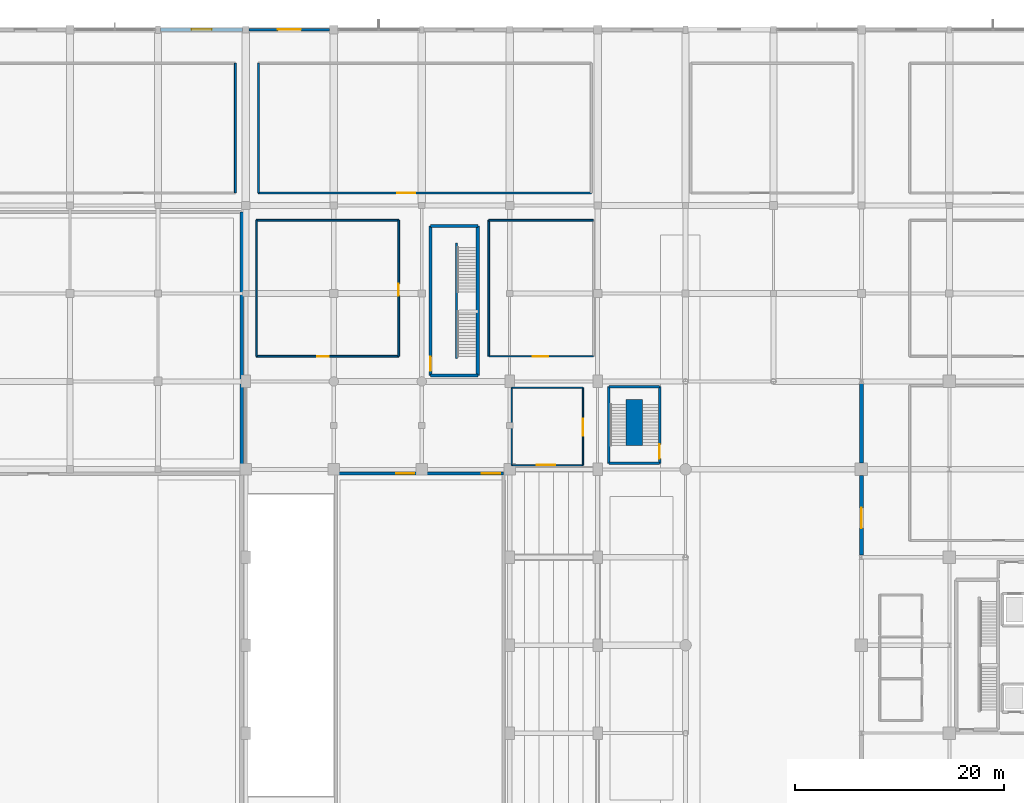
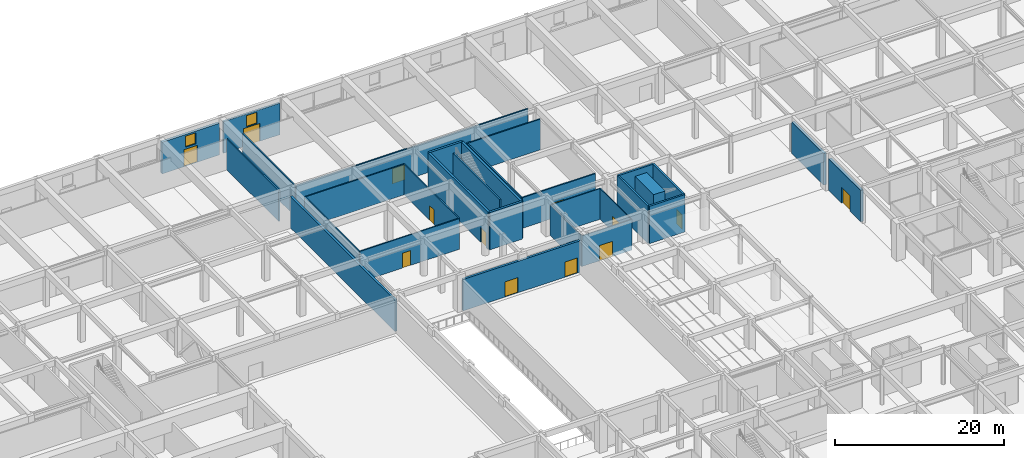
# One storey, part 46 of 62: 30 walls, 13 doors, 2 windows, 15 openings.
"""IFC4 building model written with IfcOpenShell, lengths in metres."""

from ifc_helpers import new_model, si_unit, direction, frame, frame_2d, origin, place, context, subcontext, project, spatial, rectangle, extrude, material, layer, layer_set, type_object, element, fill, save


model = new_model("IFC4")

# Units and contexts
model_context = context("Model", 3, precision=1e-05, world=origin(), true_north=direction((0.0, 1.0)))
body_context = subcontext(model_context, "Body", "Model", "MODEL_VIEW")
ifc_project = project(units=[si_unit("LENGTHUNIT", "METRE"), si_unit("AREAUNIT", "SQUARE_METRE"), si_unit("VOLUMEUNIT", "CUBIC_METRE"), si_unit("PLANEANGLEUNIT", "RADIAN"), si_unit("MASSUNIT", "GRAM", prefix="KILO")], contexts=[model_context])

# Site, building, storey
site_placement = place(None, origin())
site = spatial("IfcSite", under=ifc_project, at=site_placement, CompositionType="ELEMENT")
building_placement = place(site_placement, origin())
building = spatial("IfcBuilding", under=site, at=building_placement, Name="Xuanlan Plaza Opera House", CompositionType="ELEMENT")
storey_placement = place(building_placement, origin())
storey = spatial("IfcBuildingStorey", under=building, at=storey_placement, Name="L00", CompositionType="ELEMENT", Elevation=0.0)

# Wall, openings, door, window
ifc_material_1 = material(Name="Anodised Aluminium 6063-T6 and Rockwool Cladding", Category="aluminium")
ifc_layer_1 = layer(ifc_material_1, 0.360107421875)
ifc_layer_set_1 = layer_set([ifc_layer_1], Name="Anodised Aluminium 6063-T6 and Rockwool Cladding")
wall_type_1 = type_object("IfcWallType", Name="ENV-WL-EW-01", PredefinedType="STANDARD", material=ifc_layer_set_1)
wall_1_placement = place(storey_placement, frame((66.89990234375, 117.60009765625, 0.0), z_axis=(0.0, 0.0, 1.0), x_axis=(-1.0, 0.0, 0.0)))
wall_1 = element("IfcWall", 1, at=wall_1_placement, inside=storey, type_object=wall_type_1, Name="Exterior Wall L00-041", PredefinedType="STANDARD", context=body_context, shape_type="SweptSolid", body=[
    extrude(rectangle(XDim=7.849853515625, YDim=0.360107421875, at=frame_2d((3.9248046875, 0.0))), origin(), (0.0, 0.0, 1.0), 4.580078125),
])
opening_1_placement = place(wall_1_placement, frame((2.97509765625, 0.0, 0.0)))
opening_1 = element("IfcOpeningElement", 2, at=opening_1_placement, cuts=wall_1, Name="Opening ED-05", PredefinedType="OPENING", context=body_context, shape_type="SweptSolid", body=[
    extrude(rectangle(XDim=1.89990234375, YDim=2.449951171875, at=frame_2d((0.949951171875, 1.22509765625))), frame((0.0, 0.18994140625, 0.0), z_axis=(0.0, -1.0, 0.0), x_axis=(1.0, 0.0, 0.0)), (0.0, 0.0, 1.0), 0.380126953125),
])
opening_2_placement = place(wall_1_placement, frame((3.22509765625, 0.0, 2.75)))
opening_2 = element("IfcOpeningElement", 3, at=opening_2_placement, cuts=wall_1, Name="Opening WN-08", PredefinedType="OPENING", context=body_context, shape_type="SweptSolid", body=[
    extrude(rectangle(XDim=1.39990234375, YDim=1.60009765625, at=frame_2d((0.699951171875, 0.800048828125))), frame((0.0, 0.18994140625, 0.0), z_axis=(0.0, -1.0, 0.0), x_axis=(1.0, 0.0, 0.0)), (0.0, 0.0, 1.0), 0.380126953125),
])
ifc_material_2 = material(Name="Anodised Aluminium 6063-T6 and Laminated Safety Glass", Category="aluminium")
door_type_1 = type_object("IfcDoorType", Name="ENV-DR-ED-05", OperationType="DOUBLE_DOOR_SINGLE_SWING", PredefinedType="DOOR", material=ifc_material_2)
door_1_placement = place(opening_1_placement, frame((1.89990234375, 0.0, 0.0), z_axis=(0.0, 0.0, 1.0), x_axis=(-1.0, 0.0, 0.0)))
door_1 = element("IfcDoor", 4, at=door_1_placement, inside=storey, type_object=door_type_1, Name="Plaza Pedestrian Exit Door 22", OperationType="DOUBLE_DOOR_SINGLE_SWING", OverallHeight=2.449951171875, OverallWidth=1.89990234375, PredefinedType="DOOR", context=body_context, shape_type="SweptSolid", body=[
    extrude(rectangle(XDim=1.89990234375, YDim=2.449951171875, at=frame_2d((0.949951171875, 1.22509765625))), frame((0.0, 0.02490234375, 0.0), z_axis=(0.0, -1.0, 0.0), x_axis=(1.0, 0.0, 0.0)), (0.0, 0.0, 1.0), 0.050048828125),
])
fill(opening_1, door_1)
ifc_material_3 = material(Name="Anodised Aluminium 6063-T6 and Low-E Glass", Category="aluminium")
window_type = type_object("IfcWindowType", Name="ENV-WN-WN-08", PartitioningType="SINGLE_PANEL", PredefinedType="WINDOW", material=ifc_material_3)
window_1_placement = place(opening_2_placement, origin())
window_1 = element("IfcWindow", 5, at=window_1_placement, inside=storey, type_object=window_type, Name="Entrance Portal Transom Clerestory 22", OverallHeight=1.60009765625, OverallWidth=1.39990234375, PartitioningType="SINGLE_PANEL", PredefinedType="WINDOW", context=body_context, shape_type="SweptSolid", body=[
    extrude(rectangle(XDim=1.39990234375, YDim=1.60009765625, at=frame_2d((0.699951171875, 0.800048828125))), frame((0.0, 0.030029296875, 0.0), z_axis=(0.0, -1.0, 0.0), x_axis=(1.0, 0.0, 0.0)), (0.0, 0.0, 1.0), 0.06005859375),
])
fill(opening_2, window_1)

ifc_layer_2 = layer(ifc_material_1, 0.27001953125)
ifc_layer_set_2 = layer_set([ifc_layer_2], Name="Anodised Aluminium 6063-T6 and Rockwool Cladding")
wall_type_2 = type_object("IfcWallType", Name="ENV-WL-EW-06", PredefinedType="STANDARD", material=ifc_layer_set_2)
wall_2_placement = place(storey_placement, frame((75.199951171875, 117.60009765625, 0.0), z_axis=(0.0, 0.0, 1.0), x_axis=(-1.0, 0.0, 0.0)))
wall_2 = element("IfcWall", 6, at=wall_2_placement, inside=storey, type_object=wall_type_2, Name="Exterior Wall L00-040", PredefinedType="STANDARD", context=body_context, shape_type="SweptSolid", body=[
    extrude(rectangle(XDim=7.699951171875, YDim=0.27001953125, at=frame_2d((3.85009765625, 0.0))), origin(), (0.0, 0.0, 1.0), 4.580078125),
])
opening_3_placement = place(wall_2_placement, frame((2.75, 0.0, 0.0)))
opening_3 = element("IfcOpeningElement", 7, at=opening_3_placement, cuts=wall_2, Name="Opening ED-04", PredefinedType="OPENING", context=body_context, shape_type="SweptSolid", body=[
    extrude(rectangle(XDim=2.199951171875, YDim=2.60009765625, at=frame_2d((1.10009765625, 1.300048828125))), frame((0.0, 0.14501953125, 0.0), z_axis=(0.0, -1.0, 0.0), x_axis=(1.0, 0.0, 0.0)), (0.0, 0.0, 1.0), 0.2900390625),
])
opening_4_placement = place(wall_2_placement, frame((3.14990234375, 0.0, 2.75)))
opening_4 = element("IfcOpeningElement", 8, at=opening_4_placement, cuts=wall_2, Name="Opening WN-08", PredefinedType="OPENING", context=body_context, shape_type="SweptSolid", body=[
    extrude(rectangle(XDim=1.39990234375, YDim=1.60009765625, at=frame_2d((0.699951171875, 0.800048828125))), frame((0.0, 0.14501953125, 0.0), z_axis=(0.0, -1.0, 0.0), x_axis=(1.0, 0.0, 0.0)), (0.0, 0.0, 1.0), 0.2900390625),
])
door_type_2 = type_object("IfcDoorType", Name="ENV-DR-ED-04", OperationType="DOUBLE_DOOR_SINGLE_SWING", PredefinedType="DOOR", material=ifc_material_2)
door_2_placement = place(opening_3_placement, frame((2.199951171875, 0.0, 0.0), z_axis=(0.0, 0.0, 1.0), x_axis=(-1.0, 0.0, 0.0)))
door_2 = element("IfcDoor", 9, at=door_2_placement, inside=storey, type_object=door_type_2, Name="Main Foyer Pedestrian Entrance Door 21", OperationType="DOUBLE_DOOR_SINGLE_SWING", OverallHeight=2.60009765625, OverallWidth=2.199951171875, PredefinedType="DOOR", context=body_context, shape_type="SweptSolid", body=[
    extrude(rectangle(XDim=2.199951171875, YDim=2.60009765625, at=frame_2d((1.10009765625, 1.300048828125))), frame((0.0, 0.02490234375, 0.0), z_axis=(0.0, -1.0, 0.0), x_axis=(1.0, 0.0, 0.0)), (0.0, 0.0, 1.0), 0.050048828125),
])
fill(opening_3, door_2)
window_2_placement = place(opening_4_placement, origin())
window_2 = element("IfcWindow", 10, at=window_2_placement, inside=storey, type_object=window_type, Name="Entrance Portal Transom Clerestory 21", OverallHeight=1.60009765625, OverallWidth=1.39990234375, PartitioningType="SINGLE_PANEL", PredefinedType="WINDOW", context=body_context, shape_type="SweptSolid", body=[
    extrude(rectangle(XDim=1.39990234375, YDim=1.60009765625, at=frame_2d((0.699951171875, 0.800048828125))), frame((0.0, 0.030029296875, 0.0), z_axis=(0.0, -1.0, 0.0), x_axis=(1.0, 0.0, 0.0)), (0.0, 0.0, 1.0), 0.06005859375),
])
fill(opening_4, window_2)

# Wall, opening, door
ifc_material_4 = material(Name="Gypsum Board and Galvanised Steel Studs", Category="gypsum")
ifc_layer_3 = layer(ifc_material_4, 0.179931640625)
ifc_layer_set_3 = layer_set([ifc_layer_3], Name="Gypsum Board and Galvanised Steel Studs")
wall_type_3 = type_object("IfcWallType", Name="INT-WL-PW-02", PredefinedType="PARTITIONING", material=ifc_layer_set_3)
wall_3_placement = place(storey_placement, frame((90.39990234375, 86.39990234375, 0.0), z_axis=(0.0, 0.0, 1.0), x_axis=(1.0, 0.0, 0.0)))
wall_3 = element("IfcWall", 11, at=wall_3_placement, inside=storey, type_object=wall_type_3, Name="Audience Programme Store Wall South", PredefinedType="PARTITIONING", context=body_context, shape_type="SweptSolid", body=[
    extrude(rectangle(XDim=10.0, YDim=0.179931640625, at=frame_2d((5.0, 0.0))), origin(), (0.0, 0.0, 1.0), 4.43994140625),
])
opening_5_placement = place(wall_3_placement, frame((4.199951171875, 0.0, 0.0)))
opening_5 = element("IfcOpeningElement", 12, at=opening_5_placement, cuts=wall_3, Name="Opening D-03", PredefinedType="OPENING", context=body_context, shape_type="SweptSolid", body=[
    extrude(rectangle(XDim=1.5, YDim=2.199951171875, at=frame_2d((0.75, 1.10009765625))), frame((0.0, 0.099853515625, 0.0), z_axis=(0.0, -1.0, 0.0), x_axis=(1.0, 0.0, 0.0)), (0.0, 0.0, 1.0), 0.199951171875),
])
ifc_material_5 = material(Name="Walnut Hardwood Timber", Category="wood")
door_type_3 = type_object("IfcDoorType", Name="INT-DR-D-03", OperationType="DOUBLE_DOOR_SINGLE_SWING", PredefinedType="DOOR", material=ifc_material_5)
door_3_placement = place(opening_5_placement, origin())
door_3 = element("IfcDoor", 13, at=door_3_placement, inside=storey, type_object=door_type_3, Name="Audience Programme Store Door 1", OperationType="DOUBLE_DOOR_SINGLE_SWING", OverallHeight=2.199951171875, OverallWidth=1.5, PredefinedType="DOOR", context=body_context, shape_type="SweptSolid", body=[
    extrude(rectangle(XDim=1.5, YDim=2.199951171875, at=frame_2d((0.75, 1.10009765625))), frame((0.0, 0.02490234375, 0.0), z_axis=(0.0, -1.0, 0.0), x_axis=(1.0, 0.0, 0.0)), (0.0, 0.0, 1.0), 0.050048828125),
])
fill(opening_5, door_3)

# Walls
wall_4_placement = place(storey_placement, frame((90.39990234375, 99.39990234375, 0.0), z_axis=(0.0, 0.0, 1.0), x_axis=(1.0, 0.0, 0.0)))
element("IfcWall", 14, at=wall_4_placement, inside=storey, type_object=wall_type_3, Name="Audience Programme Store Wall North", PredefinedType="PARTITIONING", context=body_context, shape_type="SweptSolid", body=[
    extrude(rectangle(XDim=10.0, YDim=0.179931640625, at=frame_2d((5.0, 0.0))), origin(), (0.0, 0.0, 1.0), 4.43994140625),
])
wall_5_placement = place(storey_placement, frame((90.39990234375, 86.39990234375, 0.0), z_axis=(0.0, 0.0, 1.0), x_axis=(0.0, 1.0, 0.0)))
element("IfcWall", 15, at=wall_5_placement, inside=storey, type_object=wall_type_3, Name="Audience Programme Store Wall West", PredefinedType="PARTITIONING", context=body_context, shape_type="SweptSolid", body=[
    extrude(rectangle(XDim=13.0, YDim=0.179931640625, at=frame_2d((6.5, 0.0))), origin(), (0.0, 0.0, 1.0), 4.43994140625),
])
wall_6_placement = place(storey_placement, frame((66.199951171875, 102.0, 0.0), z_axis=(0.0, 0.0, 1.0), x_axis=(0.0, 1.0, 0.0)))
element("IfcWall", 16, at=wall_6_placement, inside=storey, type_object=wall_type_3, Name="Heavy Scenery Container Store Wall East", PredefinedType="PARTITIONING", context=body_context, shape_type="SweptSolid", body=[
    extrude(rectangle(XDim=12.39990234375, YDim=0.179931640625, at=frame_2d((6.199951171875, 0.0))), origin(), (0.0, 0.0, 1.0), 4.43994140625),
])

# Wall, opening, door
wall_7_placement = place(storey_placement, frame((68.39990234375, 102.0, 0.0), z_axis=(0.0, 0.0, 1.0), x_axis=(1.0, 0.0, 0.0)))
wall_7 = element("IfcWall", 17, at=wall_7_placement, inside=storey, type_object=wall_type_3, Name="Orchestra Touring Instrument Store Wall South", PredefinedType="PARTITIONING", context=body_context, shape_type="SweptSolid", body=[
    extrude(rectangle(XDim=31.800048828125, YDim=0.179931640625, at=frame_2d((15.89990234375, 0.0))), origin(), (0.0, 0.0, 1.0), 4.43994140625),
])
opening_6_placement = place(wall_7_placement, frame((13.25, 0.0, 0.0)))
opening_6 = element("IfcOpeningElement", 18, at=opening_6_placement, cuts=wall_7, Name="Opening FD-03", PredefinedType="OPENING", context=body_context, shape_type="SweptSolid", body=[
    extrude(rectangle(XDim=1.75, YDim=2.199951171875, at=frame_2d((0.875, 1.10009765625))), frame((0.0, 0.099853515625, 0.0), z_axis=(0.0, -1.0, 0.0), x_axis=(1.0, 0.0, 0.0)), (0.0, 0.0, 1.0), 0.199951171875),
])
ifc_material_6 = material(Name="Galvanised Steel Q235B", Category="steel")
door_type_4 = type_object("IfcDoorType", Name="INT-DR-FD-03", OperationType="DOUBLE_DOOR_SINGLE_SWING", PredefinedType="DOOR", material=ifc_material_6)
door_4_placement = place(opening_6_placement, origin())
door_4 = element("IfcDoor", 19, at=door_4_placement, inside=storey, type_object=door_type_4, Name="Orchestra Touring Instrument Store Door 1", OperationType="DOUBLE_DOOR_SINGLE_SWING", OverallHeight=2.199951171875, OverallWidth=1.75, PredefinedType="DOOR", context=body_context, shape_type="SweptSolid", body=[
    extrude(rectangle(XDim=1.75, YDim=2.199951171875, at=frame_2d((0.875, 1.10009765625))), frame((0.0, 0.02490234375, 0.0), z_axis=(0.0, -1.0, 0.0), x_axis=(1.0, 0.0, 0.0)), (0.0, 0.0, 1.0), 0.050048828125),
])
fill(opening_6, door_4)

# Wall
wall_8_placement = place(storey_placement, frame((68.39990234375, 102.0, 0.0), z_axis=(0.0, 0.0, 1.0), x_axis=(0.0, 1.0, 0.0)))
element("IfcWall", 20, at=wall_8_placement, inside=storey, type_object=wall_type_3, Name="Orchestra Touring Instrument Store Wall West", PredefinedType="PARTITIONING", context=body_context, shape_type="SweptSolid", body=[
    extrude(rectangle(XDim=12.39990234375, YDim=0.179931640625, at=frame_2d((6.199951171875, 0.0))), origin(), (0.0, 0.0, 1.0), 4.43994140625),
])

# Wall, opening, door
ifc_layer_4 = layer(ifc_material_4, 0.1201171875)
ifc_layer_set_4 = layer_set([ifc_layer_4], Name="Gypsum Board and Galvanised Steel Studs")
wall_type_4 = type_object("IfcWallType", Name="INT-WL-PW-04", PredefinedType="PARTITIONING", material=ifc_layer_set_4)
wall_9_placement = place(storey_placement, frame((92.60009765625, 76.0, 0.0), z_axis=(0.0, 0.0, 1.0), x_axis=(1.0, 0.0, 0.0)))
wall_9 = element("IfcWall", 21, at=wall_9_placement, inside=storey, type_object=wall_type_4, Name="Vomitory Passage North Wall South", PredefinedType="PARTITIONING", context=body_context, shape_type="SweptSolid", body=[
    extrude(rectangle(XDim=6.7998046875, YDim=0.1201171875, at=frame_2d((3.39990234375, 0.0))), origin(), (0.0, 0.0, 1.0), 4.43994140625),
])
opening_7_placement = place(wall_9_placement, frame((2.39990234375, 0.0, 0.0)))
opening_7 = element("IfcOpeningElement", 22, at=opening_7_placement, cuts=wall_9, Name="Opening FD-03", PredefinedType="OPENING", context=body_context, shape_type="SweptSolid", body=[
    extrude(rectangle(XDim=1.75, YDim=2.199951171875, at=frame_2d((0.875, 1.10009765625))), frame((0.0, 0.070068359375, 0.0), z_axis=(0.0, -1.0, 0.0), x_axis=(1.0, 0.0, 0.0)), (0.0, 0.0, 1.0), 0.14013671875),
])
door_5_placement = place(opening_7_placement, origin())
door_5 = element("IfcDoor", 23, at=door_5_placement, inside=storey, type_object=door_type_4, Name="Vomitory Passage North Door 1", OperationType="DOUBLE_DOOR_SINGLE_SWING", OverallHeight=2.199951171875, OverallWidth=1.75, PredefinedType="DOOR", context=body_context, shape_type="SweptSolid", body=[
    extrude(rectangle(XDim=1.75, YDim=2.199951171875, at=frame_2d((0.875, 1.10009765625))), frame((0.0, 0.02490234375, 0.0), z_axis=(0.0, -1.0, 0.0), x_axis=(1.0, 0.0, 0.0)), (0.0, 0.0, 1.0), 0.050048828125),
])
fill(opening_7, door_5)

# Walls
wall_10_placement = place(storey_placement, frame((92.60009765625, 83.39990234375, 0.0), z_axis=(0.0, 0.0, 1.0), x_axis=(1.0, 0.0, 0.0)))
element("IfcWall", 24, at=wall_10_placement, inside=storey, type_object=wall_type_4, Name="Vomitory Passage North Wall North", PredefinedType="PARTITIONING", context=body_context, shape_type="SweptSolid", body=[
    extrude(rectangle(XDim=6.7998046875, YDim=0.1201171875, at=frame_2d((3.39990234375, 0.0))), origin(), (0.0, 0.0, 1.0), 4.43994140625),
])
wall_11_placement = place(storey_placement, frame((92.60009765625, 76.0, 0.0), z_axis=(0.0, 0.0, 1.0), x_axis=(0.0, 1.0, 0.0)))
element("IfcWall", 25, at=wall_11_placement, inside=storey, type_object=wall_type_4, Name="Vomitory Passage North Wall West", PredefinedType="PARTITIONING", context=body_context, shape_type="SweptSolid", body=[
    extrude(rectangle(XDim=7.39990234375, YDim=0.1201171875, at=frame_2d((3.699951171875, 0.0))), origin(), (0.0, 0.0, 1.0), 4.43994140625),
])

# Wall, opening, door
wall_12_placement = place(storey_placement, frame((99.39990234375, 76.0, 0.0), z_axis=(0.0, 0.0, 1.0), x_axis=(0.0, 1.0, 0.0)))
wall_12 = element("IfcWall", 26, at=wall_12_placement, inside=storey, type_object=wall_type_4, Name="Vomitory Passage North Wall East", PredefinedType="PARTITIONING", context=body_context, shape_type="SweptSolid", body=[
    extrude(rectangle(XDim=7.39990234375, YDim=0.1201171875, at=frame_2d((3.699951171875, 0.0))), origin(), (0.0, 0.0, 1.0), 4.43994140625),
])
opening_8_placement = place(wall_12_placement, frame((2.800048828125, 0.0, 0.0)))
opening_8 = element("IfcOpeningElement", 27, at=opening_8_placement, cuts=wall_12, Name="Opening D-08", PredefinedType="OPENING", context=body_context, shape_type="SweptSolid", body=[
    extrude(rectangle(XDim=1.6201171875, YDim=2.219970703125, at=frame_2d((0.81005859375, 1.10986328125))), frame((0.0, 0.070068359375, 0.0), z_axis=(0.0, -1.0, 0.0), x_axis=(1.0, 0.0, 0.0)), (0.0, 0.0, 1.0), 0.14013671875),
])
door_type_5 = type_object("IfcDoorType", Name="INT-DR-D-08", OperationType="DOUBLE_DOOR_SINGLE_SWING", PredefinedType="DOOR", material=ifc_material_5)
door_6_placement = place(opening_8_placement, origin())
door_6 = element("IfcDoor", 28, at=door_6_placement, inside=storey, type_object=door_type_5, Name="Vomitory Passage North Door 1", OperationType="DOUBLE_DOOR_SINGLE_SWING", OverallHeight=2.219970703125, OverallWidth=1.6201171875, PredefinedType="DOOR", context=body_context, shape_type="SweptSolid", body=[
    extrude(rectangle(XDim=1.6201171875, YDim=2.219970703125, at=frame_2d((0.81005859375, 1.10986328125))), frame((0.0, 0.02490234375, 0.0), z_axis=(0.0, -1.0, 0.0), x_axis=(1.0, 0.0, 0.0)), (0.0, 0.0, 1.0), 0.050048828125),
])
fill(opening_8, door_6)

ifc_layer_5 = layer(ifc_material_4, 0.159912109375)
ifc_layer_set_5 = layer_set([ifc_layer_5], Name="Gypsum Board and Galvanised Steel Studs")
wall_type_5 = type_object("IfcWallType", Name="INT-WL-PW-05", PredefinedType="PARTITIONING", material=ifc_layer_set_5)
wall_13_placement = place(storey_placement, frame((68.199951171875, 86.39990234375, 0.0), z_axis=(0.0, 0.0, 1.0), x_axis=(1.0, 0.0, 0.0)))
wall_13 = element("IfcWall", 29, at=wall_13_placement, inside=storey, type_object=wall_type_5, Name="Stage Rigging and Winch Workshop Wall South", PredefinedType="PARTITIONING", context=body_context, shape_type="SweptSolid", body=[
    extrude(rectangle(XDim=13.60009765625, YDim=0.159912109375, at=frame_2d((6.800048828125, 0.0))), origin(), (0.0, 0.0, 1.0), 4.43994140625),
])
opening_9_placement = place(wall_13_placement, frame((5.800048828125, 0.0, 0.0)))
opening_9 = element("IfcOpeningElement", 30, at=opening_9_placement, cuts=wall_13, Name="Opening D-10", PredefinedType="OPENING", context=body_context, shape_type="SweptSolid", body=[
    extrude(rectangle(XDim=1.1201171875, YDim=2.139892578125, at=frame_2d((0.56005859375, 1.06982421875))), frame((0.0, 0.08984375, 0.0), z_axis=(0.0, -1.0, 0.0), x_axis=(1.0, 0.0, 0.0)), (0.0, 0.0, 1.0), 0.179931640625),
])
ifc_material_7 = material(Name="Oak Hardwood Timber", Category="wood")
door_type_6 = type_object("IfcDoorType", Name="INT-DR-D-10", OperationType="NOTDEFINED", PredefinedType="DOOR", material=ifc_material_7)
door_7_placement = place(opening_9_placement, origin())
door_7 = element("IfcDoor", 31, at=door_7_placement, inside=storey, type_object=door_type_6, Name="Stage Rigging and Winch Workshop Door 1", OperationType="SINGLE_SWING_LEFT", OverallHeight=2.139892578125, OverallWidth=1.1201171875, PredefinedType="DOOR", context=body_context, shape_type="SweptSolid", body=[
    extrude(rectangle(XDim=1.1201171875, YDim=2.139892578125, at=frame_2d((0.56005859375, 1.06982421875))), frame((0.0, 0.02490234375, 0.0), z_axis=(0.0, -1.0, 0.0), x_axis=(1.0, 0.0, 0.0)), (0.0, 0.0, 1.0), 0.050048828125),
])
fill(opening_9, door_7)

# Walls
wall_14_placement = place(storey_placement, frame((68.199951171875, 99.39990234375, 0.0), z_axis=(0.0, 0.0, 1.0), x_axis=(1.0, 0.0, 0.0)))
element("IfcWall", 32, at=wall_14_placement, inside=storey, type_object=wall_type_5, Name="Stage Rigging and Winch Workshop Wall North", PredefinedType="PARTITIONING", context=body_context, shape_type="SweptSolid", body=[
    extrude(rectangle(XDim=13.60009765625, YDim=0.159912109375, at=frame_2d((6.800048828125, 0.0))), origin(), (0.0, 0.0, 1.0), 4.43994140625),
])
wall_15_placement = place(storey_placement, frame((68.199951171875, 86.39990234375, 0.0), z_axis=(0.0, 0.0, 1.0), x_axis=(0.0, 1.0, 0.0)))
element("IfcWall", 33, at=wall_15_placement, inside=storey, type_object=wall_type_5, Name="Stage Rigging and Winch Workshop Wall West", PredefinedType="PARTITIONING", context=body_context, shape_type="SweptSolid", body=[
    extrude(rectangle(XDim=13.0, YDim=0.159912109375, at=frame_2d((6.5, 0.0))), origin(), (0.0, 0.0, 1.0), 4.43994140625),
])

# Wall, opening, door
wall_16_placement = place(storey_placement, frame((81.800048828125, 86.39990234375, 0.0), z_axis=(0.0, 0.0, 1.0), x_axis=(0.0, 1.0, 0.0)))
wall_16 = element("IfcWall", 34, at=wall_16_placement, inside=storey, type_object=wall_type_5, Name="Stage Rigging and Winch Workshop Wall East", PredefinedType="PARTITIONING", context=body_context, shape_type="SweptSolid", body=[
    extrude(rectangle(XDim=13.0, YDim=0.159912109375, at=frame_2d((6.5, 0.0))), origin(), (0.0, 0.0, 1.0), 4.43994140625),
])
opening_10_placement = place(wall_16_placement, frame((5.800048828125, 0.0, 0.0)))
opening_10 = element("IfcOpeningElement", 35, at=opening_10_placement, cuts=wall_16, Name="Opening D-10", PredefinedType="OPENING", context=body_context, shape_type="SweptSolid", body=[
    extrude(rectangle(XDim=1.1201171875, YDim=2.139892578125, at=frame_2d((0.56005859375, 1.06982421875))), frame((0.0, 0.08984375, 0.0), z_axis=(0.0, -1.0, 0.0), x_axis=(1.0, 0.0, 0.0)), (0.0, 0.0, 1.0), 0.179931640625),
])
door_8_placement = place(opening_10_placement, origin())
door_8 = element("IfcDoor", 36, at=door_8_placement, inside=storey, type_object=door_type_6, Name="Stage Rigging and Winch Workshop Door 1", OperationType="SINGLE_SWING_LEFT", OverallHeight=2.139892578125, OverallWidth=1.1201171875, PredefinedType="DOOR", context=body_context, shape_type="SweptSolid", body=[
    extrude(rectangle(XDim=1.1201171875, YDim=2.139892578125, at=frame_2d((0.56005859375, 1.06982421875))), frame((0.0, 0.02490234375, 0.0), z_axis=(0.0, -1.0, 0.0), x_axis=(1.0, 0.0, 0.0)), (0.0, 0.0, 1.0), 0.050048828125),
])
fill(opening_10, door_8)

ifc_material_8 = material(Name="Concrete C50", Category="concrete")
ifc_layer_6 = layer(ifc_material_8, 0.3798828125)
ifc_layer_set_6 = layer_set([ifc_layer_6], Name="Concrete C50")
wall_type_6 = type_object("IfcWallType", Name="INT-WL-SW-FW1", PredefinedType="SHEAR", material=ifc_layer_set_6)
wall_17_placement = place(storey_placement, frame((126.0, 67.406982421875, 0.0), z_axis=(0.0, 0.0, 1.0), x_axis=(0.0, 1.0, 0.0)))
wall_17 = element("IfcWall", 37, at=wall_17_placement, inside=storey, type_object=wall_type_6, Name="Opera-Tower Compartment Firewall L00-03", PredefinedType="SHEAR", context=body_context, shape_type="SweptSolid", body=[
    extrude(rectangle(XDim=7.593017578125, YDim=0.3798828125, at=frame_2d((3.79638671875, 0.0))), origin(), (0.0, 0.0, 1.0), 4.550048828125),
])
opening_11_placement = place(wall_17_placement, frame((2.574951171875, 0.0, 0.0)))
opening_11 = element("IfcOpeningElement", 38, at=opening_11_placement, cuts=wall_17, Name="Opening FD-04", PredefinedType="OPENING", context=body_context, shape_type="SweptSolid", body=[
    extrude(rectangle(XDim=1.949951171875, YDim=2.300048828125, at=frame_2d((0.97509765625, 1.14990234375))), frame((0.0, 0.199951171875, 0.0), z_axis=(0.0, -1.0, 0.0), x_axis=(1.0, 0.0, 0.0)), (0.0, 0.0, 1.0), 0.39990234375),
])
door_type_7 = type_object("IfcDoorType", Name="INT-DR-FD-04", OperationType="DOUBLE_DOOR_SINGLE_SWING", PredefinedType="DOOR", material=ifc_material_6)
door_9_placement = place(opening_11_placement, origin())
door_9 = element("IfcDoor", 39, at=door_9_placement, inside=storey, type_object=door_type_7, Name="Compartment Firewall Door L00-03", OperationType="DOUBLE_DOOR_SINGLE_SWING", OverallHeight=2.300048828125, OverallWidth=1.949951171875, PredefinedType="DOOR", context=body_context, shape_type="SweptSolid", body=[
    extrude(rectangle(XDim=1.949951171875, YDim=2.300048828125, at=frame_2d((0.97509765625, 1.14990234375))), frame((0.0, 0.02490234375, 0.0), z_axis=(0.0, -1.0, 0.0), x_axis=(1.0, 0.0, 0.0)), (0.0, 0.0, 1.0), 0.050048828125),
])
fill(opening_11, door_9)

# Walls
wall_18_placement = place(storey_placement, frame((126.0, 76.199951171875, 0.0), z_axis=(0.0, 0.0, 1.0), x_axis=(0.0, 1.0, 0.0)))
element("IfcWall", 40, at=wall_18_placement, inside=storey, type_object=wall_type_6, Name="Opera-Tower Compartment Firewall L00-04", PredefinedType="SHEAR", context=body_context, shape_type="SweptSolid", body=[
    extrude(rectangle(XDim=7.593017578125, YDim=0.3798828125, at=frame_2d((3.79638671875, 0.0))), origin(), (0.0, 0.0, 1.0), 4.550048828125),
])
ifc_layer_7 = layer(ifc_material_8, 1.60009765625)
ifc_layer_set_7 = layer_set([ifc_layer_7], Name="Concrete C50")
wall_type_7 = type_object("IfcWallType", Name="INT-WL-SW-SP2", PredefinedType="SHEAR", material=ifc_layer_set_7)
wall_19_placement = place(storey_placement, frame((104.300048828125, 77.8798828125, 0.0), z_axis=(0.0, 0.0, 1.0), x_axis=(0.0, 1.0, 0.0)))
element("IfcWall", 41, at=wall_19_placement, inside=storey, type_object=wall_type_7, Name="Half-Turn Stair Structural Spine Wall ST-F2 L00", PredefinedType="SHEAR", context=body_context, shape_type="SweptSolid", body=[
    extrude(rectangle(XDim=4.400146484375, YDim=1.60009765625, at=frame_2d((2.2001953125, 0.0))), origin(), (0.0, 0.0, 1.0), 5.39990234375),
])
ifc_material_9 = material(Name="Concrete C40", Category="concrete")
ifc_layer_8 = layer(ifc_material_9, 0.199951171875)
ifc_layer_set_8 = layer_set([ifc_layer_8], Name="Concrete C40")
wall_type_8 = type_object("IfcWallType", Name="INT-WL-SW-SPN", PredefinedType="SHEAR", material=ifc_layer_set_8)
wall_20_placement = place(storey_placement, frame((87.300048828125, 86.199951171875, 0.0), z_axis=(0.0, 0.0, 1.0), x_axis=(0.0, 1.0, 0.0)))
element("IfcWall", 42, at=wall_20_placement, inside=storey, type_object=wall_type_8, Name="Stair Structural Spine Wall ST-P4 L00", PredefinedType="SHEAR", context=body_context, shape_type="SweptSolid", body=[
    extrude(rectangle(XDim=11.0, YDim=0.199951171875, at=frame_2d((5.5, 0.0))), origin(), (0.0, 0.0, 1.0), 5.39990234375),
])
ifc_layer_9 = layer(ifc_material_9, 0.300048828125)
ifc_layer_set_9 = layer_set([ifc_layer_9], Name="Concrete C40")
wall_type_9 = type_object("IfcWallType", Name="INT-WL-SW-ST1", PredefinedType="SHEAR", material=ifc_layer_set_9)
for number, where, z_axis, x_axis, name in (
    (43, (84.85009765625, 84.550048828125, 0.0), (0.0, 0.0, 1.0), (1.0, 0.0, 0.0), "Stair Core Wall ST-P4 L00 South"),
    (44, (84.85009765625, 98.85009765625, 0.0), (0.0, 0.0, 1.0), (1.0, 0.0, 0.0), "Stair Core Wall ST-P4 L00 North"),
):
    element("IfcWall", number, at=place(storey_placement, frame(where, z_axis=z_axis, x_axis=x_axis)), inside=storey, type_object=wall_type_9, Name=name, PredefinedType="SHEAR", context=body_context, shape_type="SweptSolid", body=[
        extrude(rectangle(XDim=4.5, YDim=0.300048828125, at=frame_2d((2.25, 0.0))), origin(), (0.0, 0.0, 1.0), 5.39990234375),
    ])

# Wall, opening, door
wall_21_placement = place(storey_placement, frame((84.85009765625, 84.550048828125, 0.0), z_axis=(0.0, 0.0, 1.0), x_axis=(0.0, 1.0, 0.0)))
wall_21 = element("IfcWall", 45, at=wall_21_placement, inside=storey, type_object=wall_type_9, Name="Stair Core Wall ST-P4 L00 West", PredefinedType="SHEAR", context=body_context, shape_type="SweptSolid", body=[
    extrude(rectangle(XDim=14.300048828125, YDim=0.300048828125, at=frame_2d((7.14990234375, 0.0))), origin(), (0.0, 0.0, 1.0), 5.39990234375),
])
opening_12_placement = place(wall_21_placement, frame((0.449951171875, 0.0, 0.0)))
opening_12 = element("IfcOpeningElement", 46, at=opening_12_placement, cuts=wall_21, Name="Opening FD-ST2", PredefinedType="OPENING", context=body_context, shape_type="SweptSolid", body=[
    extrude(rectangle(XDim=1.35009765625, YDim=2.14990234375, at=frame_2d((0.675048828125, 1.074951171875))), frame((0.0, 0.159912109375, 0.0), z_axis=(0.0, -1.0, 0.0), x_axis=(1.0, 0.0, 0.0)), (0.0, 0.0, 1.0), 0.320068359375),
])
door_type_8 = type_object("IfcDoorType", Name="INT-DR-FD-ST2", OperationType="NOTDEFINED", PredefinedType="DOOR", material=ifc_material_6)
door_10_placement = place(opening_12_placement, origin())
door_10 = element("IfcDoor", 47, at=door_10_placement, inside=storey, type_object=door_type_8, Name="Stair Enclosure Fire Door ST-P4 L00", OperationType="SINGLE_SWING_RIGHT", OverallHeight=2.14990234375, OverallWidth=1.35009765625, PredefinedType="DOOR", context=body_context, shape_type="SweptSolid", body=[
    extrude(rectangle(XDim=1.35009765625, YDim=2.14990234375, at=frame_2d((0.675048828125, 1.074951171875))), frame((0.0, 0.02490234375, 0.0), z_axis=(0.0, -1.0, 0.0), x_axis=(1.0, 0.0, 0.0)), (0.0, 0.0, 1.0), 0.050048828125),
])
fill(opening_12, door_10)

# Walls
wall_22_placement = place(storey_placement, frame((89.35009765625, 84.550048828125, 0.0), z_axis=(0.0, 0.0, 1.0), x_axis=(0.0, 1.0, 0.0)))
element("IfcWall", 48, at=wall_22_placement, inside=storey, type_object=wall_type_9, Name="Stair Core Wall ST-P4 L00 East", PredefinedType="SHEAR", context=body_context, shape_type="SweptSolid", body=[
    extrude(rectangle(XDim=14.300048828125, YDim=0.300048828125, at=frame_2d((7.14990234375, 0.0))), origin(), (0.0, 0.0, 1.0), 5.39990234375),
])
wall_23_placement = place(storey_placement, frame((66.800048828125, 75.39990234375, 0.0), z_axis=(0.0, 0.0, 1.0), x_axis=(0.0, 1.0, 0.0)))
element("IfcWall", 49, at=wall_23_placement, inside=storey, type_object=wall_type_9, Name="Side Stage North Wall East", PredefinedType="SHEAR", context=body_context, shape_type="SweptSolid", body=[
    extrude(rectangle(XDim=24.800048828125, YDim=0.300048828125, at=frame_2d((12.39990234375, 0.0))), origin(), (0.0, 0.0, 1.0), 4.550048828125),
])

# Wall, openings, doors
wall_24_placement = place(storey_placement, frame((75.800048828125, 75.199951171875, 0.0), z_axis=(0.0, 0.0, 1.0), x_axis=(1.0, 0.0, 0.0)))
wall_24 = element("IfcWall", 50, at=wall_24_placement, inside=storey, type_object=wall_type_9, Name="Auditorium Stalls Wall North", PredefinedType="SHEAR", context=body_context, shape_type="SweptSolid", body=[
    extrude(rectangle(XDim=16.0, YDim=0.300048828125, at=frame_2d((8.0, 0.0))), origin(), (0.0, 0.0, 1.0), 4.550048828125),
])
opening_13_placement = place(wall_24_placement, frame((5.75, 0.0, 0.0)))
opening_13 = element("IfcOpeningElement", 51, at=opening_13_placement, cuts=wall_24, Name="Opening FD-03", PredefinedType="OPENING", context=body_context, shape_type="SweptSolid", body=[
    extrude(rectangle(XDim=1.75, YDim=2.199951171875, at=frame_2d((0.875, 1.10009765625))), frame((0.0, 0.159912109375, 0.0), z_axis=(0.0, -1.0, 0.0), x_axis=(1.0, 0.0, 0.0)), (0.0, 0.0, 1.0), 0.320068359375),
])
opening_14_placement = place(wall_24_placement, frame((13.929931640625, 0.0, 0.0)))
opening_14 = element("IfcOpeningElement", 52, at=opening_14_placement, cuts=wall_24, Name="Opening FD-03", PredefinedType="OPENING", context=body_context, shape_type="SweptSolid", body=[
    extrude(rectangle(XDim=1.75, YDim=2.199951171875, at=frame_2d((0.875, 1.10009765625))), frame((0.0, 0.159912109375, 0.0), z_axis=(0.0, -1.0, 0.0), x_axis=(1.0, 0.0, 0.0)), (0.0, 0.0, 1.0), 0.320068359375),
])
door_11_placement = place(opening_13_placement, origin())
door_11 = element("IfcDoor", 53, at=door_11_placement, inside=storey, type_object=door_type_4, Name="Auditorium Stalls Door 1", OperationType="DOUBLE_DOOR_SINGLE_SWING", OverallHeight=2.199951171875, OverallWidth=1.75, PredefinedType="DOOR", context=body_context, shape_type="SweptSolid", body=[
    extrude(rectangle(XDim=1.75, YDim=2.199951171875, at=frame_2d((0.875, 1.10009765625))), frame((0.0, 0.02490234375, 0.0), z_axis=(0.0, -1.0, 0.0), x_axis=(1.0, 0.0, 0.0)), (0.0, 0.0, 1.0), 0.050048828125),
])
fill(opening_13, door_11)
door_12_placement = place(opening_14_placement, origin())
door_12 = element("IfcDoor", 54, at=door_12_placement, inside=storey, type_object=door_type_4, Name="Auditorium Stalls Door 2", OperationType="DOUBLE_DOOR_SINGLE_SWING", OverallHeight=2.199951171875, OverallWidth=1.75, PredefinedType="DOOR", context=body_context, shape_type="SweptSolid", body=[
    extrude(rectangle(XDim=1.75, YDim=2.199951171875, at=frame_2d((0.875, 1.10009765625))), frame((0.0, 0.02490234375, 0.0), z_axis=(0.0, -1.0, 0.0), x_axis=(1.0, 0.0, 0.0)), (0.0, 0.0, 1.0), 0.050048828125),
])
fill(opening_14, door_12)

# Walls
ifc_layer_10 = layer(ifc_material_9, 0.25)
ifc_layer_set_10 = layer_set([ifc_layer_10], Name="Concrete C40")
wall_type_10 = type_object("IfcWallType", Name="INT-WL-SW-ST2", PredefinedType="SHEAR", material=ifc_layer_set_10)
for number, where, z_axis, x_axis, name in (
    (55, (101.875, 76.175048828125, 0.0), (0.0, 0.0, 1.0), (1.0, 0.0, 0.0), "Stair Core Wall ST-F2 L00 South"),
    (56, (101.875, 83.5048828125, 0.0), (0.0, 0.0, 1.0), (1.0, 0.0, 0.0), "Stair Core Wall ST-F2 L00 North"),
):
    element("IfcWall", number, at=place(storey_placement, frame(where, z_axis=z_axis, x_axis=x_axis)), inside=storey, type_object=wall_type_10, Name=name, PredefinedType="SHEAR", context=body_context, shape_type="SweptSolid", body=[
        extrude(rectangle(XDim=4.85009765625, YDim=0.25, at=frame_2d((2.425048828125, 0.0))), origin(), (0.0, 0.0, 1.0), 5.39990234375),
    ])
wall_25_placement = place(storey_placement, frame((101.875, 76.175048828125, 0.0), z_axis=(0.0, 0.0, 1.0), x_axis=(0.0, 1.0, 0.0)))
element("IfcWall", 57, at=wall_25_placement, inside=storey, type_object=wall_type_10, Name="Stair Core Wall ST-F2 L00 West", PredefinedType="SHEAR", context=body_context, shape_type="SweptSolid", body=[
    extrude(rectangle(XDim=7.329833984375, YDim=0.25, at=frame_2d((3.6650390625, 0.0))), origin(), (0.0, 0.0, 1.0), 5.39990234375),
])

# Wall, opening, door
wall_26_placement = place(storey_placement, frame((106.72509765625, 76.175048828125, 0.0), z_axis=(0.0, 0.0, 1.0), x_axis=(0.0, 1.0, 0.0)))
wall_26 = element("IfcWall", 58, at=wall_26_placement, inside=storey, type_object=wall_type_10, Name="Stair Core Wall ST-F2 L00 East", PredefinedType="SHEAR", context=body_context, shape_type="SweptSolid", body=[
    extrude(rectangle(XDim=7.329833984375, YDim=0.25, at=frame_2d((3.6650390625, 0.0))), origin(), (0.0, 0.0, 1.0), 5.39990234375),
])
opening_15_placement = place(wall_26_placement, frame((0.449951171875, 0.0, 0.0)))
opening_15 = element("IfcOpeningElement", 59, at=opening_15_placement, cuts=wall_26, Name="Opening FD-ST2", PredefinedType="OPENING", context=body_context, shape_type="SweptSolid", body=[
    extrude(rectangle(XDim=1.35009765625, YDim=2.14990234375, at=frame_2d((0.675048828125, 1.074951171875))), frame((0.0, 0.135009765625, 0.0), z_axis=(0.0, -1.0, 0.0), x_axis=(1.0, 0.0, 0.0)), (0.0, 0.0, 1.0), 0.27001953125),
])
door_13_placement = place(opening_15_placement, frame((1.35009765625, 0.0, 0.0), z_axis=(0.0, 0.0, 1.0), x_axis=(-1.0, 0.0, 0.0)))
door_13 = element("IfcDoor", 60, at=door_13_placement, inside=storey, type_object=door_type_8, Name="Stair Enclosure Fire Door ST-F2 L00", OperationType="SINGLE_SWING_RIGHT", OverallHeight=2.14990234375, OverallWidth=1.35009765625, PredefinedType="DOOR", context=body_context, shape_type="SweptSolid", body=[
    extrude(rectangle(XDim=1.35009765625, YDim=2.14990234375, at=frame_2d((0.675048828125, 1.074951171875))), frame((0.0, 0.02490234375, 0.0), z_axis=(0.0, -1.0, 0.0), x_axis=(1.0, 0.0, 0.0)), (0.0, 0.0, 1.0), 0.050048828125),
])
fill(opening_15, door_13)

save(model, "model.ifc")
